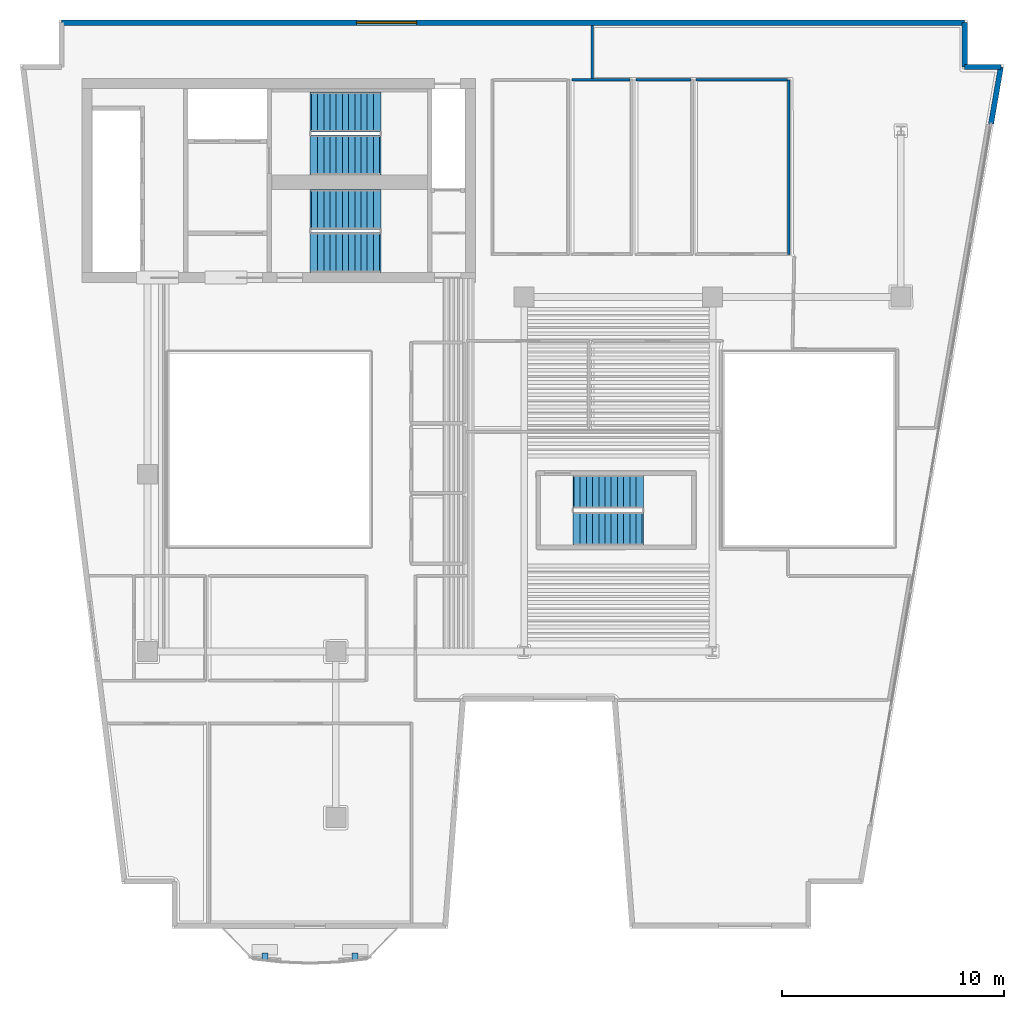
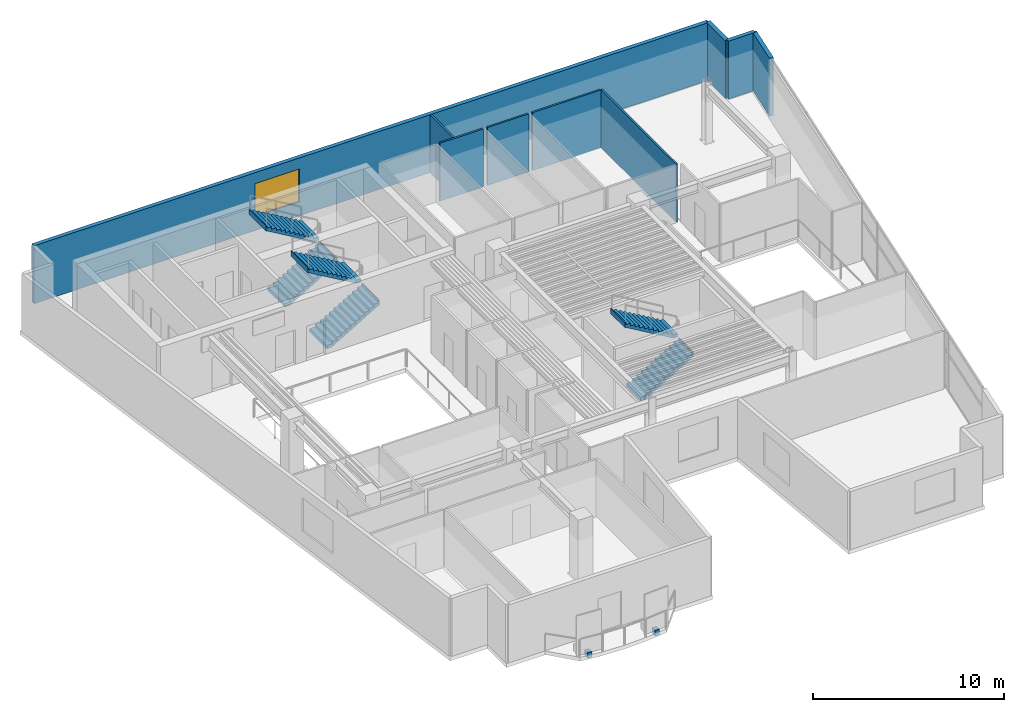
# One storey, part 6 of 9: 9 walls, 6 stair flights, 2 discrete accessories, 1 window, 1 opening, 3 elements without a shape of their own.
"""IFC4 building model written with IfcOpenShell, lengths in metres."""

from ifc_helpers import new_model, si_unit, direction, frame, frame_2d, origin, origin_2d, place, context, subcontext, project, spatial, polyline, rectangle, outline, extrude, material, layer, layer_set, type_object, element, fill, aggregate, save


model = new_model("IFC4")

# Units and contexts
model_context = context("Model", 3, precision=1e-05, world=origin(), true_north=direction((0.0, 1.0)))
body_context = subcontext(model_context, "Body", "Model", "MODEL_VIEW")
ifc_project = project(units=[si_unit("LENGTHUNIT", "METRE"), si_unit("AREAUNIT", "SQUARE_METRE"), si_unit("VOLUMEUNIT", "CUBIC_METRE"), si_unit("PLANEANGLEUNIT", "RADIAN"), si_unit("MASSUNIT", "GRAM", prefix="KILO")], contexts=[model_context])

# Site, building, storey
site_placement = place(None, origin())
site = spatial("IfcSite", under=ifc_project, at=site_placement, CompositionType="ELEMENT")
building_placement = place(site_placement, origin())
building = spatial("IfcBuilding", under=site, at=building_placement, Name="Caeloran Harvest Quay", CompositionType="ELEMENT")
storey_placement = place(building_placement, frame((0.0, 0.0, 211.39990234375)))
storey = spatial("IfcBuildingStorey", under=building, at=storey_placement, Name="L50", CompositionType="ELEMENT", Elevation=211.39990234375)

# Wall, opening, window
ifc_material_1 = material(Name="Precast concrete C50/60", Category="concrete")
ifc_layer_1 = layer(ifc_material_1, 0.239990234375, Name="Precast concrete C50/60")
ifc_layer_set_1 = layer_set([ifc_layer_1], Name="Precast concrete C50/60")
wall_type_1 = type_object("IfcWallType", Name="ENV-WALL-EW-240", PredefinedType="STANDARD", material=ifc_layer_set_1)
wall_1_placement = place(storey_placement, frame((4.6201171875, 43.3798828125, 0.0), z_axis=(0.0, 0.0, 1.0), x_axis=(1.0, 0.0, 0.0)))
wall_1 = element("IfcWall", 1, at=wall_1_placement, inside=storey, type_object=wall_type_1, Name="L50 Exterior Precast Concrete Facade Wall 6", PredefinedType="STANDARD", context=body_context, shape_type="SweptSolid", body=[
    extrude(rectangle(XDim=40.759765625, YDim=0.239990234375, at=frame_2d((20.3798828125, 0.0))), origin(), (0.0, 0.0, 1.0), 3.7001953125),
])
opening_placement = place(wall_1_placement, frame((13.323974609375, 0.0, 0.89990234375)))
opening = element("IfcOpeningElement", 2, at=opening_placement, cuts=wall_1, Name="Opening W-07", PredefinedType="OPENING", context=body_context, shape_type="SweptSolid", body=[
    extrude(rectangle(XDim=2.699951171875, YDim=2.10009765625, at=frame_2d((1.35009765625, 1.050048828125))), frame((0.0, 0.1298828125, 0.0), z_axis=(0.0, -1.0, 0.0), x_axis=(1.0, 0.0, 0.0)), (0.0, 0.0, 1.0), 0.260009765625),
])
ifc_material_2 = material(Name="Aluminium-Framed Low-E Laminated Glass", Category="aluminium")
window_type = type_object("IfcWindowType", Name="WIN-W-07", PartitioningType="DOUBLE_PANEL_VERTICAL", PredefinedType="WINDOW", material=ifc_material_2)
window_placement = place(opening_placement, origin())
window = element("IfcWindow", 3, at=window_placement, inside=storey, type_object=window_type, Name="L50 Facade Punched Window W-07", OverallHeight=2.10009765625, OverallWidth=2.699951171875, PartitioningType="DOUBLE_PANEL_VERTICAL", PredefinedType="WINDOW", context=body_context, shape_type="SweptSolid", body=[
    extrude(rectangle(XDim=2.699951171875, YDim=2.10009765625, at=frame_2d((1.35009765625, 1.050048828125))), frame((0.0, 0.030029296875, 0.0), z_axis=(0.0, -1.0, 0.0), x_axis=(1.0, 0.0, 0.0)), (0.0, 0.0, 1.0), 0.06005859375),
])
fill(opening, window)

# Walls
wall_2_placement = place(storey_placement, frame((45.3798828125, 43.3798828125, 0.0), z_axis=(0.0, 0.0, 1.0), x_axis=(0.0, -1.0, 0.0)))
element("IfcWall", 4, at=wall_2_placement, inside=storey, type_object=wall_type_1, Name="L50 Exterior Precast Concrete Facade Wall 7", PredefinedType="STANDARD", context=body_context, shape_type="SweptSolid", body=[
    extrude(rectangle(XDim=2.0, YDim=0.239990234375, at=frame_2d((1.0, 0.0))), origin(), (0.0, 0.0, 1.0), 3.7001953125),
])
wall_3_placement = place(storey_placement, frame((45.3798828125, 41.3798828125, 0.0), z_axis=(0.0, 0.0, 1.0), x_axis=(1.0, 0.0, 0.0)))
element("IfcWall", 5, at=wall_3_placement, inside=storey, type_object=wall_type_1, Name="L50 Exterior Precast Concrete Facade Wall 8", PredefinedType="STANDARD", context=body_context, shape_type="SweptSolid", body=[
    extrude(rectangle(XDim=1.634033203125, YDim=0.239990234375, at=frame_2d((0.81689453125, 0.0))), origin(), (0.0, 0.0, 1.0), 3.7001953125),
])
wall_4_placement = place(storey_placement, frame((47.013916015625, 41.3798828125, 0.0), z_axis=(0.0, 0.0, 1.0), x_axis=(-0.169406892601, -0.985546196147, 0.0)))
element("IfcWall", 6, at=wall_4_placement, inside=storey, type_object=wall_type_1, Name="L50 Exterior Facade Corner Pier Wall 9A", PredefinedType="STANDARD", context=body_context, shape_type="SweptSolid", body=[
    extrude(rectangle(XDim=2.599853515625, YDim=0.239990234375, at=frame_2d((1.2998046875, 0.0))), origin(), (0.0, 0.0, 1.0), 3.7001953125),
])
ifc_material_3 = material(Name="Single-Stud Acoustic Gypsum Office Partition", Category="gypsum")
ifc_layer_2 = layer(ifc_material_3, 0.112060546875, Name="Single-Stud Acoustic Gypsum Office Partition")
ifc_layer_set_2 = layer_set([ifc_layer_2], Name="Single-Stud Acoustic Gypsum Office Partition")
wall_type_2 = type_object("IfcWallType", Name="INT-WALL-PW-112", PredefinedType="PARTITIONING", material=ifc_layer_set_2)
wall_5_placement = place(storey_placement, frame((27.659912109375, 40.800048828125, 0.0), z_axis=(0.0, 0.0, 1.0), x_axis=(1.0, 0.0, 0.0)))
element("IfcWall", 7, at=wall_5_placement, inside=storey, type_object=wall_type_2, Name="L50 Seed Imaging Laboratory Partition Wall", PredefinedType="PARTITIONING", context=body_context, shape_type="SweptSolid", body=[
    extrude(rectangle(XDim=2.629150390625, YDim=0.112060546875, at=frame_2d((1.314453125, 0.0))), origin(), (0.0, 0.0, 1.0), 3.7001953125),
])
wall_6_placement = place(storey_placement, frame((30.550048828125, 40.800048828125, 0.0), z_axis=(0.0, 0.0, 1.0), x_axis=(1.0, 0.0, 0.0)))
element("IfcWall", 8, at=wall_6_placement, inside=storey, type_object=wall_type_2, Name="L50 Genomics Seminar West Room Partition Wall", PredefinedType="PARTITIONING", context=body_context, shape_type="SweptSolid", body=[
    extrude(rectangle(XDim=2.47900390625, YDim=0.112060546875, at=frame_2d((1.239501953125, 0.0))), origin(), (0.0, 0.0, 1.0), 3.7001953125),
])
wall_7_placement = place(storey_placement, frame((37.449951171875, 40.800048828125, 0.0), z_axis=(0.0, 0.0, 1.0), x_axis=(0.0, -1.0, 0.0)))
element("IfcWall", 9, at=wall_7_placement, inside=storey, type_object=wall_type_2, Name="L50 Executive Archive East Studio Partition Wall", PredefinedType="PARTITIONING", context=body_context, shape_type="SweptSolid", body=[
    extrude(rectangle(XDim=7.880126953125, YDim=0.112060546875, at=frame_2d((3.93994140625, 0.0))), origin(), (0.0, 0.0, 1.0), 3.7001953125),
])
wall_8_placement = place(storey_placement, frame((33.25, 40.800048828125, 0.0), z_axis=(0.0, 0.0, 1.0), x_axis=(1.0, 0.0, 0.0)))
element("IfcWall", 10, at=wall_8_placement, inside=storey, type_object=wall_type_2, Name="L50 Executive Archive East Studio Partition Wall", PredefinedType="PARTITIONING", context=body_context, shape_type="SweptSolid", body=[
    extrude(rectangle(XDim=4.138916015625, YDim=0.112060546875, at=frame_2d((2.0693359375, 0.0))), origin(), (0.0, 0.0, 1.0), 3.7001953125),
])
wall_9_placement = place(storey_placement, frame((28.580078125, 40.861083984375, 0.0), z_axis=(0.0, 0.0, 1.0), x_axis=(0.0, 1.0, 0.0)))
element("IfcWall", 11, at=wall_9_placement, inside=storey, type_object=wall_type_2, Name="Policy Seminar Meeting Hall 8 Partition Wall", PredefinedType="PARTITIONING", context=body_context, shape_type="SweptSolid", body=[
    extrude(rectangle(XDim=2.393798828125, YDim=0.112060546875, at=frame_2d((1.19677734375, 0.0))), origin(), (0.0, 0.0, 1.0), 3.7001953125),
])

# Stair, stair flights
ifc_material_4 = material(Name="Concrete C50/60", Category="concrete")
stair_type_1 = type_object("IfcStairType", Name="STAIR-STC-180", PredefinedType="HALF_TURN_STAIR", material=ifc_material_4)
stair_1_placement = place(storey_placement, origin())
stair_1 = element("IfcStair", 12, at=stair_1_placement, inside=storey, type_object=stair_type_1, Name="L50 Core Pressurized Exit Stair ST-C1", PredefinedType="HALF_TURN_STAIR")
stair_flight_type_1 = type_object("IfcStairFlightType", Name="FLIGHT-STC-180", PredefinedType="STRAIGHT", material=ifc_material_4)
stair_flight_1_placement = place(storey_placement, frame((15.89990234375, 37.39990234375, 0.0), z_axis=(0.0, 0.0, 1.0), x_axis=(1.0, 0.0, 0.0)))
stair_flight_1 = element("IfcStairFlight", 13, at=stair_flight_1_placement, type_object=stair_flight_type_1, Name="ST-C1 flight 1", NumberOfRisers=12, NumberOfTreads=11, PredefinedType="STRAIGHT", RiserHeight=0.164583333, TreadLength=0.28, context=body_context, shape_type="SweptSolid", body=[
    extrude(outline(polyline([(-0.054931640625, -0.044921875), (-0.054931640625, -0.031982421875), (-0.054931640625, -0.018798828125), (-0.054931640625, -0.005615234375), (-0.054931640625, 0.00732421875), (-0.054931640625, 0.0205078125), (-0.054931640625, 0.03369140625), (-0.054931640625, 0.046630859375), (-0.054931640625, 0.059814453125), (-0.054931640625, 0.072998046875), (-0.054931640625, 0.0859375), (-0.054931640625, 0.09912109375), (-0.054931640625, 0.1123046875), (-0.054931640625, 0.125244140625), (-0.054931640625, 0.138427734375), (-0.054931640625, 0.1513671875), (-0.054931640625, 0.16455078125), (0.280029296875, 0.16455078125), (0.280029296875, 0.3291015625), (0.56005859375, 0.3291015625), (0.56005859375, 0.49365234375), (0.840087890625, 0.49365234375), (0.840087890625, 0.658447265625), (1.1201171875, 0.658447265625), (1.1201171875, 0.822998046875), (1.39990234375, 0.822998046875), (1.39990234375, 0.987548828125), (1.679931640625, 0.987548828125), (1.679931640625, 1.152099609375), (1.9599609375, 1.152099609375), (1.9599609375, 1.316650390625), (2.239990234375, 1.316650390625), (2.239990234375, 1.481201171875), (2.52001953125, 1.481201171875), (2.52001953125, 1.645751953125), (2.800048828125, 1.645751953125), (2.800048828125, 1.810302734375), (3.080078125, 1.810302734375), (3.080078125, 1.97509765625), (3.135009765625, 1.97509765625), (3.135009765625, 1.953857421875), (3.135009765625, 1.9326171875), (3.135009765625, 1.91162109375), (3.135009765625, 1.890380859375), (3.135009765625, 1.869140625), (3.135009765625, 1.84814453125), (3.135009765625, 1.826904296875), (3.135009765625, 1.8056640625), (3.135009765625, 1.78466796875), (3.135009765625, 1.763427734375), (3.135009765625, 1.7421875), (3.135009765625, 1.72119140625), (3.135009765625, 1.699951171875), (3.135009765625, 1.678955078125), (3.135009765625, 1.65771484375), (3.135009765625, 1.636474609375), (3.080078125, 1.636474609375), (0.21923828125, -0.044921875), (-0.054931640625, -0.044921875)])), frame((0.0, 0.89990234375, 0.0), z_axis=(0.0, -1.0, 0.0), x_axis=(1.0, 0.0, 0.0)), (0.0, 0.0, 1.0), 1.800048828125),
])
stair_flight_2_placement = place(storey_placement, frame((18.97998046875, 39.35009765625, 1.97509765625), z_axis=(0.0, 0.0, 1.0), x_axis=(-1.0, 0.0, 0.0)))
stair_flight_2 = element("IfcStairFlight", 14, at=stair_flight_2_placement, type_object=stair_flight_type_1, Name="ST-C1 flight 2", NumberOfRisers=12, NumberOfTreads=11, PredefinedType="STRAIGHT", RiserHeight=0.164583333, TreadLength=0.28, context=body_context, shape_type="SweptSolid", body=[
    extrude(outline(polyline([(-0.054931640625, -0.044921875), (-0.054931640625, -0.031982421875), (-0.054931640625, -0.018798828125), (-0.054931640625, -0.005615234375), (-0.054931640625, 0.00732421875), (-0.054931640625, 0.0205078125), (-0.054931640625, 0.03369140625), (-0.054931640625, 0.046630859375), (-0.054931640625, 0.059814453125), (-0.054931640625, 0.072998046875), (-0.054931640625, 0.0859375), (-0.054931640625, 0.09912109375), (-0.054931640625, 0.1123046875), (-0.054931640625, 0.125244140625), (-0.054931640625, 0.138427734375), (-0.054931640625, 0.1513671875), (-0.054931640625, 0.16455078125), (0.280029296875, 0.16455078125), (0.280029296875, 0.3291015625), (0.56005859375, 0.3291015625), (0.56005859375, 0.49365234375), (0.840087890625, 0.49365234375), (0.840087890625, 0.658447265625), (1.1201171875, 0.658447265625), (1.1201171875, 0.822998046875), (1.39990234375, 0.822998046875), (1.39990234375, 0.987548828125), (1.679931640625, 0.987548828125), (1.679931640625, 1.152099609375), (1.9599609375, 1.152099609375), (1.9599609375, 1.316650390625), (2.239990234375, 1.316650390625), (2.239990234375, 1.481201171875), (2.52001953125, 1.481201171875), (2.52001953125, 1.645751953125), (2.800048828125, 1.645751953125), (2.800048828125, 1.810302734375), (3.080078125, 1.810302734375), (3.080078125, 1.97509765625), (3.135009765625, 1.97509765625), (3.135009765625, 1.953857421875), (3.135009765625, 1.9326171875), (3.135009765625, 1.91162109375), (3.135009765625, 1.890380859375), (3.135009765625, 1.869140625), (3.135009765625, 1.84814453125), (3.135009765625, 1.826904296875), (3.135009765625, 1.8056640625), (3.135009765625, 1.78466796875), (3.135009765625, 1.763427734375), (3.135009765625, 1.7421875), (3.135009765625, 1.72119140625), (3.135009765625, 1.699951171875), (3.135009765625, 1.678955078125), (3.135009765625, 1.65771484375), (3.135009765625, 1.636474609375), (3.080078125, 1.636474609375), (0.21923828125, -0.044921875), (-0.054931640625, -0.044921875)])), frame((0.0, 0.89990234375, 0.0), z_axis=(0.0, -1.0, 0.0), x_axis=(1.0, 0.0, 0.0)), (0.0, 0.0, 1.0), 1.800048828125),
])
aggregate(stair_1, [stair_flight_1, stair_flight_2])

stair_2_placement = place(storey_placement, origin())
stair_2 = element("IfcStair", 15, at=stair_2_placement, inside=storey, type_object=stair_type_1, Name="L50 Core Pressurized Exit Stair ST-C2", PredefinedType="HALF_TURN_STAIR")
stair_flight_3_placement = place(storey_placement, frame((15.89990234375, 33.0, 0.0), z_axis=(0.0, 0.0, 1.0), x_axis=(1.0, 0.0, 0.0)))
stair_flight_3 = element("IfcStairFlight", 16, at=stair_flight_3_placement, type_object=stair_flight_type_1, Name="ST-C2 flight 1", NumberOfRisers=12, NumberOfTreads=11, PredefinedType="STRAIGHT", RiserHeight=0.164583333, TreadLength=0.28, context=body_context, shape_type="SweptSolid", body=[
    extrude(outline(polyline([(-0.054931640625, -0.044921875), (-0.054931640625, -0.031982421875), (-0.054931640625, -0.018798828125), (-0.054931640625, -0.005615234375), (-0.054931640625, 0.00732421875), (-0.054931640625, 0.0205078125), (-0.054931640625, 0.03369140625), (-0.054931640625, 0.046630859375), (-0.054931640625, 0.059814453125), (-0.054931640625, 0.072998046875), (-0.054931640625, 0.0859375), (-0.054931640625, 0.09912109375), (-0.054931640625, 0.1123046875), (-0.054931640625, 0.125244140625), (-0.054931640625, 0.138427734375), (-0.054931640625, 0.1513671875), (-0.054931640625, 0.16455078125), (0.280029296875, 0.16455078125), (0.280029296875, 0.3291015625), (0.56005859375, 0.3291015625), (0.56005859375, 0.49365234375), (0.840087890625, 0.49365234375), (0.840087890625, 0.658447265625), (1.1201171875, 0.658447265625), (1.1201171875, 0.822998046875), (1.39990234375, 0.822998046875), (1.39990234375, 0.987548828125), (1.679931640625, 0.987548828125), (1.679931640625, 1.152099609375), (1.9599609375, 1.152099609375), (1.9599609375, 1.316650390625), (2.239990234375, 1.316650390625), (2.239990234375, 1.481201171875), (2.52001953125, 1.481201171875), (2.52001953125, 1.645751953125), (2.800048828125, 1.645751953125), (2.800048828125, 1.810302734375), (3.080078125, 1.810302734375), (3.080078125, 1.97509765625), (3.135009765625, 1.97509765625), (3.135009765625, 1.953857421875), (3.135009765625, 1.9326171875), (3.135009765625, 1.91162109375), (3.135009765625, 1.890380859375), (3.135009765625, 1.869140625), (3.135009765625, 1.84814453125), (3.135009765625, 1.826904296875), (3.135009765625, 1.8056640625), (3.135009765625, 1.78466796875), (3.135009765625, 1.763427734375), (3.135009765625, 1.7421875), (3.135009765625, 1.72119140625), (3.135009765625, 1.699951171875), (3.135009765625, 1.678955078125), (3.135009765625, 1.65771484375), (3.135009765625, 1.636474609375), (3.080078125, 1.636474609375), (0.21923828125, -0.044921875), (-0.054931640625, -0.044921875)])), frame((0.0, 0.89990234375, 0.0), z_axis=(0.0, -1.0, 0.0), x_axis=(1.0, 0.0, 0.0)), (0.0, 0.0, 1.0), 1.800048828125),
])
stair_flight_4_placement = place(storey_placement, frame((18.97998046875, 34.949951171875, 1.97509765625), z_axis=(0.0, 0.0, 1.0), x_axis=(-1.0, 0.0, 0.0)))
stair_flight_4 = element("IfcStairFlight", 17, at=stair_flight_4_placement, type_object=stair_flight_type_1, Name="ST-C2 flight 2", NumberOfRisers=12, NumberOfTreads=11, PredefinedType="STRAIGHT", RiserHeight=0.164583333, TreadLength=0.28, context=body_context, shape_type="SweptSolid", body=[
    extrude(outline(polyline([(-0.054931640625, -0.044921875), (-0.054931640625, -0.031982421875), (-0.054931640625, -0.018798828125), (-0.054931640625, -0.005615234375), (-0.054931640625, 0.00732421875), (-0.054931640625, 0.0205078125), (-0.054931640625, 0.03369140625), (-0.054931640625, 0.046630859375), (-0.054931640625, 0.059814453125), (-0.054931640625, 0.072998046875), (-0.054931640625, 0.0859375), (-0.054931640625, 0.09912109375), (-0.054931640625, 0.1123046875), (-0.054931640625, 0.125244140625), (-0.054931640625, 0.138427734375), (-0.054931640625, 0.1513671875), (-0.054931640625, 0.16455078125), (0.280029296875, 0.16455078125), (0.280029296875, 0.3291015625), (0.56005859375, 0.3291015625), (0.56005859375, 0.49365234375), (0.840087890625, 0.49365234375), (0.840087890625, 0.658447265625), (1.1201171875, 0.658447265625), (1.1201171875, 0.822998046875), (1.39990234375, 0.822998046875), (1.39990234375, 0.987548828125), (1.679931640625, 0.987548828125), (1.679931640625, 1.152099609375), (1.9599609375, 1.152099609375), (1.9599609375, 1.316650390625), (2.239990234375, 1.316650390625), (2.239990234375, 1.481201171875), (2.52001953125, 1.481201171875), (2.52001953125, 1.645751953125), (2.800048828125, 1.645751953125), (2.800048828125, 1.810302734375), (3.080078125, 1.810302734375), (3.080078125, 1.97509765625), (3.135009765625, 1.97509765625), (3.135009765625, 1.953857421875), (3.135009765625, 1.9326171875), (3.135009765625, 1.91162109375), (3.135009765625, 1.890380859375), (3.135009765625, 1.869140625), (3.135009765625, 1.84814453125), (3.135009765625, 1.826904296875), (3.135009765625, 1.8056640625), (3.135009765625, 1.78466796875), (3.135009765625, 1.763427734375), (3.135009765625, 1.7421875), (3.135009765625, 1.72119140625), (3.135009765625, 1.699951171875), (3.135009765625, 1.678955078125), (3.135009765625, 1.65771484375), (3.135009765625, 1.636474609375), (3.080078125, 1.636474609375), (0.21923828125, -0.044921875), (-0.054931640625, -0.044921875)])), frame((0.0, 0.89990234375, 0.0), z_axis=(0.0, -1.0, 0.0), x_axis=(1.0, 0.0, 0.0)), (0.0, 0.0, 1.0), 1.800048828125),
])
aggregate(stair_2, [stair_flight_3, stair_flight_4])

stair_type_2 = type_object("IfcStairType", Name="STAIR-STW-150", PredefinedType="HALF_TURN_STAIR", material=ifc_material_4)
stair_3_placement = place(storey_placement, origin())
stair_3 = element("IfcStair", 18, at=stair_3_placement, inside=storey, type_object=stair_type_2, Name="L50 East Wing Protected Exit Stair ST-W1", PredefinedType="HALF_TURN_STAIR")
stair_flight_type_2 = type_object("IfcStairFlightType", Name="FLIGHT-STW-150", PredefinedType="STRAIGHT", material=ifc_material_4)
stair_flight_5_placement = place(storey_placement, frame((27.75, 20.550048828125, 0.0), z_axis=(0.0, 0.0, 1.0), x_axis=(1.0, 0.0, 0.0)))
stair_flight_5 = element("IfcStairFlight", 19, at=stair_flight_5_placement, type_object=stair_flight_type_2, Name="ST-W1 flight 1", NumberOfRisers=12, NumberOfTreads=11, PredefinedType="STRAIGHT", RiserHeight=0.164583333, TreadLength=0.28, context=body_context, shape_type="SweptSolid", body=[
    extrude(outline(polyline([(-0.054931640625, -0.044921875), (-0.054931640625, -0.031982421875), (-0.054931640625, -0.018798828125), (-0.054931640625, -0.005615234375), (-0.054931640625, 0.00732421875), (-0.054931640625, 0.0205078125), (-0.054931640625, 0.03369140625), (-0.054931640625, 0.046630859375), (-0.054931640625, 0.059814453125), (-0.054931640625, 0.072998046875), (-0.054931640625, 0.0859375), (-0.054931640625, 0.09912109375), (-0.054931640625, 0.1123046875), (-0.054931640625, 0.125244140625), (-0.054931640625, 0.138427734375), (-0.054931640625, 0.1513671875), (-0.054931640625, 0.16455078125), (0.280029296875, 0.16455078125), (0.280029296875, 0.3291015625), (0.56005859375, 0.3291015625), (0.56005859375, 0.49365234375), (0.840087890625, 0.49365234375), (0.840087890625, 0.658447265625), (1.1201171875, 0.658447265625), (1.1201171875, 0.822998046875), (1.39990234375, 0.822998046875), (1.39990234375, 0.987548828125), (1.679931640625, 0.987548828125), (1.679931640625, 1.152099609375), (1.9599609375, 1.152099609375), (1.9599609375, 1.316650390625), (2.239990234375, 1.316650390625), (2.239990234375, 1.481201171875), (2.52001953125, 1.481201171875), (2.52001953125, 1.645751953125), (2.800048828125, 1.645751953125), (2.800048828125, 1.810302734375), (3.080078125, 1.810302734375), (3.080078125, 1.97509765625), (3.135009765625, 1.97509765625), (3.135009765625, 1.953857421875), (3.135009765625, 1.9326171875), (3.135009765625, 1.91162109375), (3.135009765625, 1.890380859375), (3.135009765625, 1.869140625), (3.135009765625, 1.84814453125), (3.135009765625, 1.826904296875), (3.135009765625, 1.8056640625), (3.135009765625, 1.78466796875), (3.135009765625, 1.763427734375), (3.135009765625, 1.7421875), (3.135009765625, 1.72119140625), (3.135009765625, 1.699951171875), (3.135009765625, 1.678955078125), (3.135009765625, 1.65771484375), (3.135009765625, 1.636474609375), (3.080078125, 1.636474609375), (0.21923828125, -0.044921875), (-0.054931640625, -0.044921875)])), frame((0.0, 0.75, 0.0), z_axis=(0.0, -1.0, 0.0), x_axis=(1.0, 0.0, 0.0)), (0.0, 0.0, 1.0), 1.5),
])
stair_flight_6_placement = place(storey_placement, frame((30.830078125, 22.199951171875, 1.97509765625), z_axis=(0.0, 0.0, 1.0), x_axis=(-1.0, 0.0, 0.0)))
stair_flight_6 = element("IfcStairFlight", 20, at=stair_flight_6_placement, type_object=stair_flight_type_2, Name="ST-W1 flight 2", NumberOfRisers=12, NumberOfTreads=11, PredefinedType="STRAIGHT", RiserHeight=0.164583333, TreadLength=0.28, context=body_context, shape_type="SweptSolid", body=[
    extrude(outline(polyline([(-0.054931640625, -0.044921875), (-0.054931640625, -0.031982421875), (-0.054931640625, -0.018798828125), (-0.054931640625, -0.005615234375), (-0.054931640625, 0.00732421875), (-0.054931640625, 0.0205078125), (-0.054931640625, 0.03369140625), (-0.054931640625, 0.046630859375), (-0.054931640625, 0.059814453125), (-0.054931640625, 0.072998046875), (-0.054931640625, 0.0859375), (-0.054931640625, 0.09912109375), (-0.054931640625, 0.1123046875), (-0.054931640625, 0.125244140625), (-0.054931640625, 0.138427734375), (-0.054931640625, 0.1513671875), (-0.054931640625, 0.16455078125), (0.280029296875, 0.16455078125), (0.280029296875, 0.3291015625), (0.56005859375, 0.3291015625), (0.56005859375, 0.49365234375), (0.840087890625, 0.49365234375), (0.840087890625, 0.658447265625), (1.1201171875, 0.658447265625), (1.1201171875, 0.822998046875), (1.39990234375, 0.822998046875), (1.39990234375, 0.987548828125), (1.679931640625, 0.987548828125), (1.679931640625, 1.152099609375), (1.9599609375, 1.152099609375), (1.9599609375, 1.316650390625), (2.239990234375, 1.316650390625), (2.239990234375, 1.481201171875), (2.52001953125, 1.481201171875), (2.52001953125, 1.645751953125), (2.800048828125, 1.645751953125), (2.800048828125, 1.810302734375), (3.080078125, 1.810302734375), (3.080078125, 1.97509765625), (3.135009765625, 1.97509765625), (3.135009765625, 1.953857421875), (3.135009765625, 1.9326171875), (3.135009765625, 1.91162109375), (3.135009765625, 1.890380859375), (3.135009765625, 1.869140625), (3.135009765625, 1.84814453125), (3.135009765625, 1.826904296875), (3.135009765625, 1.8056640625), (3.135009765625, 1.78466796875), (3.135009765625, 1.763427734375), (3.135009765625, 1.7421875), (3.135009765625, 1.72119140625), (3.135009765625, 1.699951171875), (3.135009765625, 1.678955078125), (3.135009765625, 1.65771484375), (3.135009765625, 1.636474609375), (3.080078125, 1.636474609375), (0.21923828125, -0.044921875), (-0.054931640625, -0.044921875)])), frame((0.0, 0.75, 0.0), z_axis=(0.0, -1.0, 0.0), x_axis=(1.0, 0.0, 0.0)), (0.0, 0.0, 1.0), 1.5),
])
aggregate(stair_3, [stair_flight_5, stair_flight_6])

# Discrete accessories
ifc_material_5 = material(Name="Stainless Steel Grade 316L", Category="steel")
discrete_accessory_type = type_object("IfcDiscreteAccessoryType", Name="BRACKET-SCREEN-SS", PredefinedType="BRACKET", material=ifc_material_5)
for number, where, z_axis, x_axis, name in (
    (21, (17.868408203125, 1.219970703125, -0.2197265625), (0.0, 0.0, 1.0), (1.0, 0.0, 0.0), "L50 Balcony Screen Support Bracket 1"),
    (22, (13.800537109375, 1.219970703125, -0.2197265625), (0.0, 0.0, 1.0), (1.0, 0.0, 0.0), "L50 Balcony Screen Support Bracket 2"),
):
    element("IfcDiscreteAccessory", number, at=place(storey_placement, frame(where, z_axis=z_axis, x_axis=x_axis)), inside=storey, type_object=discrete_accessory_type, Name=name, PredefinedType="BRACKET", context=body_context, shape_type="SweptSolid", body=[
        extrude(rectangle(XDim=0.260009765625, YDim=0.340087890625, at=origin_2d()), origin(), (0.0, 0.0, 1.0), 0.360107421875),
    ])

save(model, "model.ifc")
